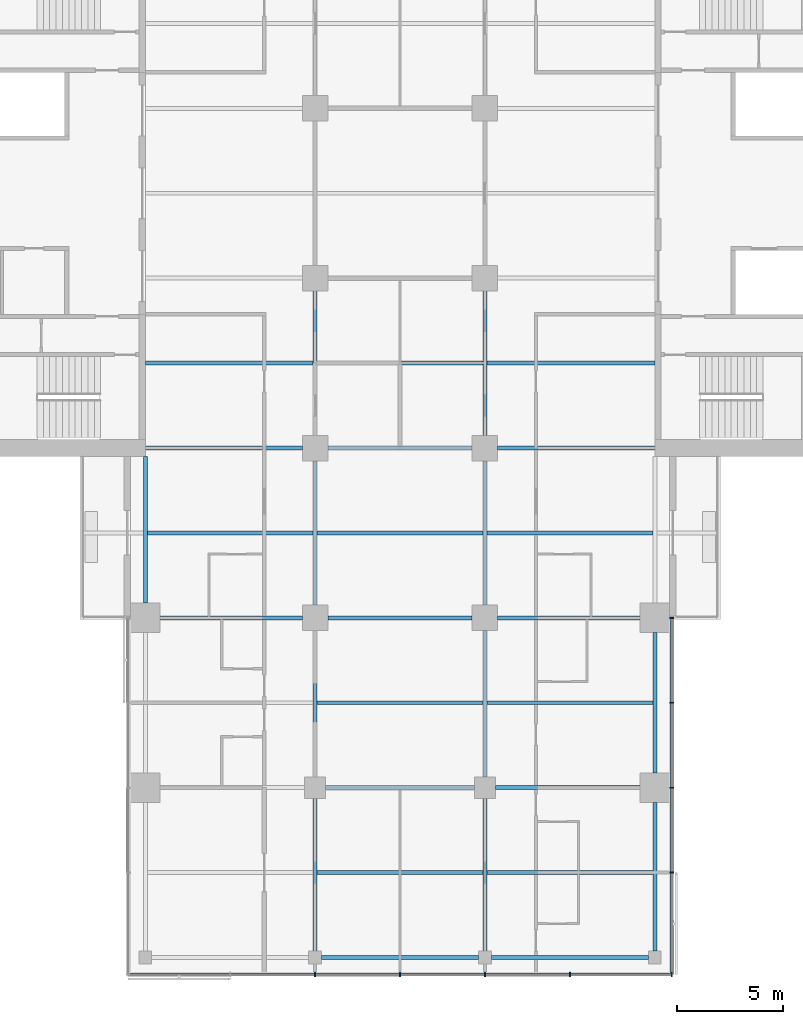
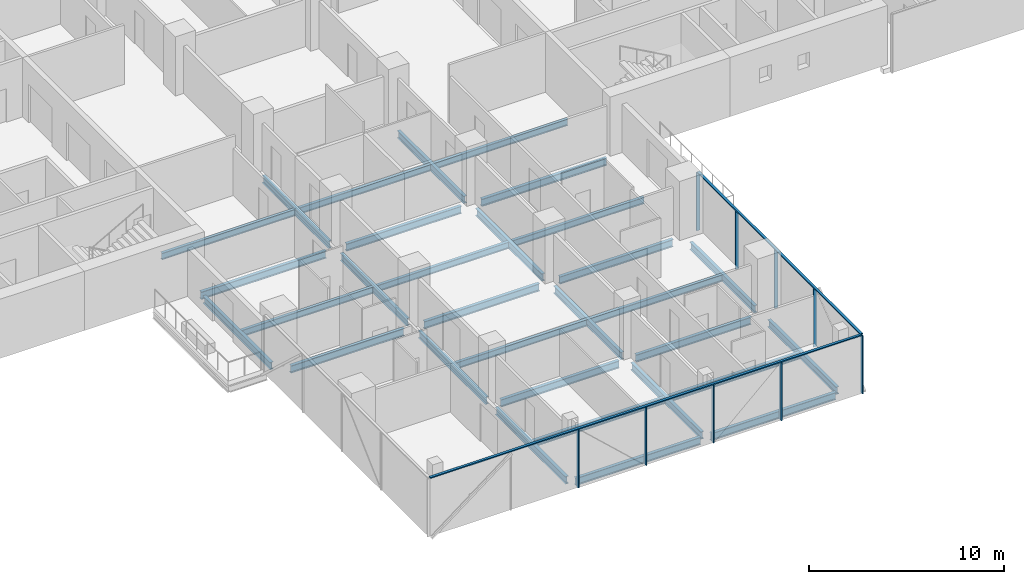
# One storey, part 4 of 27: 31 beams, 11 members, 2 elements without a shape of their own.
"""IFC4 building model written with IfcOpenShell, lengths in metres."""

from ifc_helpers import new_model, si_unit, direction, frame, origin, origin_2d, place, context, subcontext, project, spatial, rectangle, i_section, extrude, material, material_profile, profile_set, type_object, element, aggregate, save


model = new_model("IFC4")

# Units and contexts
model_context = context("Model", 3, precision=1e-05, world=origin(), true_north=direction((0.0, 1.0)))
body_context = subcontext(model_context, "Body", "Model", "MODEL_VIEW")
ifc_project = project(units=[si_unit("LENGTHUNIT", "METRE"), si_unit("AREAUNIT", "SQUARE_METRE"), si_unit("VOLUMEUNIT", "CUBIC_METRE"), si_unit("PLANEANGLEUNIT", "RADIAN"), si_unit("MASSUNIT", "GRAM", prefix="KILO")], contexts=[model_context])

# Site, building, storey
site_placement = place(None, origin())
site = spatial("IfcSite", under=ifc_project, at=site_placement, CompositionType="ELEMENT")
building_placement = place(site_placement, origin())
building = spatial("IfcBuilding", under=site, at=building_placement, Name="Crosswind Convention Tower", CompositionType="ELEMENT")
storey_placement = place(building_placement, frame((0.0, 0.0, 72.0)))
storey = spatial("IfcBuildingStorey", under=building, at=storey_placement, Name="L12", CompositionType="ELEMENT", Elevation=72.0)

# Beams
ifc_material_1 = material(Name="Steel S355", Category="steel")
ifc_material_profile_1 = material_profile(ifc_material_1, i_section(OverallWidth=0.1904296875, OverallDepth=0.457275390625, WebThickness=0.009033203125, FlangeThickness=0.014404296875, FilletRadius=0.01025390625, at=origin_2d()), Name="UB 457x191x75")
ifc_profile_set_1 = profile_set([ifc_material_profile_1], Name="Steel S355")
beam_type_1 = type_object("IfcBeamType", Name="Edge beam UB 457x191x75", PredefinedType="SPANDREL", material=ifc_profile_set_1)
beam_1_placement = place(storey_placement, frame((113.0, 80.699951171875, -0.508544921875), z_axis=(0.0, 1.0, 0.0), x_axis=(-1.0, 0.0, 0.0)))
element("IfcBeam", 1, at=beam_1_placement, inside=storey, type_object=beam_type_1, Name="B17 L12 edge beam 8", PredefinedType="SPANDREL", context=body_context, shape_type="SweptSolid", body=[
    extrude(i_section(OverallWidth=0.1904296875, OverallDepth=0.457275390625, WebThickness=0.009033203125, FlangeThickness=0.014404296875, FilletRadius=0.01025390625, at=origin_2d()), origin(), (0.0, 0.0, 1.0), 6.900146484375),
])
for number, where, z_axis, x_axis, name in (
    (2, (121.300048828125, 64.0, -0.508544921875), (1.0, 0.0, 0.0), (0.0, 1.0, 0.0), "B17 L12 edge beam 14"),
    (3, (129.300048828125, 64.0, -0.508544921875), (1.0, 0.0, 0.0), (0.0, 1.0, 0.0), "B17 L12 edge beam 16"),
):
    element("IfcBeam", number, at=place(storey_placement, frame(where, z_axis=z_axis, x_axis=x_axis)), inside=storey, type_object=beam_type_1, Name=name, PredefinedType="SPANDREL", context=body_context, shape_type="SweptSolid", body=[
        extrude(i_section(OverallWidth=0.1904296875, OverallDepth=0.457275390625, WebThickness=0.009033203125, FlangeThickness=0.014404296875, FilletRadius=0.01025390625, at=origin_2d()), origin(), (0.0, 0.0, 1.0), 7.39990234375),
    ])
beam_2_placement = place(storey_placement, frame((137.0, 64.300048828125, -0.508544921875), z_axis=(0.0, 1.0, 0.0), x_axis=(-1.0, 0.0, 0.0)))
element("IfcBeam", 4, at=beam_2_placement, inside=storey, type_object=beam_type_1, Name="B17 L12 edge beam 18", PredefinedType="SPANDREL", context=body_context, shape_type="SweptSolid", body=[
    extrude(i_section(OverallWidth=0.1904296875, OverallDepth=0.457275390625, WebThickness=0.009033203125, FlangeThickness=0.014404296875, FilletRadius=0.01025390625, at=origin_2d()), origin(), (0.0, 0.0, 1.0), 7.0),
])
beam_3_placement = place(storey_placement, frame((137.0, 72.699951171875, -0.508544921875), z_axis=(0.0, 1.0, 0.0), x_axis=(-1.0, 0.0, 0.0)))
element("IfcBeam", 5, at=beam_3_placement, inside=storey, type_object=beam_type_1, Name="B17 L12 edge beam 19", PredefinedType="SPANDREL", context=body_context, shape_type="SweptSolid", body=[
    extrude(i_section(OverallWidth=0.1904296875, OverallDepth=0.457275390625, WebThickness=0.009033203125, FlangeThickness=0.014404296875, FilletRadius=0.01025390625, at=origin_2d()), origin(), (0.0, 0.0, 1.0), 6.60009765625),
])
ifc_material_profile_2 = material_profile(ifc_material_1, i_section(OverallWidth=0.19140625, OverallDepth=0.460205078125, WebThickness=0.010009765625, FlangeThickness=0.01611328125, FilletRadius=0.01025390625, at=origin_2d()), Name="UB 457x191x82")
ifc_profile_set_2 = profile_set([ifc_material_profile_2], Name="Steel S355")
beam_type_2 = type_object("IfcBeamType", Name="Girder UB 457x191x82", PredefinedType="BEAM", material=ifc_profile_set_2)
beam_4_placement = place(storey_placement, frame((113.699951171875, 80.0, -0.510009765625), z_axis=(1.0, 0.0, 0.0), x_axis=(0.0, 1.0, 0.0)))
element("IfcBeam", 6, at=beam_4_placement, inside=storey, type_object=beam_type_2, Name="B3 L12 girder 2", PredefinedType="BEAM", context=body_context, shape_type="SweptSolid", body=[
    extrude(i_section(OverallWidth=0.19140625, OverallDepth=0.460205078125, WebThickness=0.010009765625, FlangeThickness=0.01611328125, FilletRadius=0.01025390625, at=origin_2d()), origin(), (0.0, 0.0, 1.0), 6.699951171875),
])
beam_5_placement = place(storey_placement, frame((121.0, 64.300048828125, -0.510009765625), z_axis=(0.0, 1.0, 0.0), x_axis=(-1.0, 0.0, 0.0)))
element("IfcBeam", 7, at=beam_5_placement, inside=storey, type_object=beam_type_2, Name="B3 L12 girder 5", PredefinedType="BEAM", context=body_context, shape_type="SweptSolid", body=[
    extrude(i_section(OverallWidth=0.19140625, OverallDepth=0.460205078125, WebThickness=0.010009765625, FlangeThickness=0.01611328125, FilletRadius=0.01025390625, at=origin_2d()), origin(), (0.0, 0.0, 1.0), 7.199951171875),
])
beam_6_placement = place(storey_placement, frame((121.0, 72.5, -0.510009765625), z_axis=(0.0, 1.0, 0.0), x_axis=(-1.0, 0.0, 0.0)))
element("IfcBeam", 8, at=beam_6_placement, inside=storey, type_object=beam_type_2, Name="B3 L12 girder 6", PredefinedType="BEAM", context=body_context, shape_type="SweptSolid", body=[
    extrude(i_section(OverallWidth=0.19140625, OverallDepth=0.460205078125, WebThickness=0.010009765625, FlangeThickness=0.01611328125, FilletRadius=0.01025390625, at=origin_2d()), origin(), (0.0, 0.0, 1.0), 6.89990234375),
])
for number, where, z_axis, x_axis, name in (
    (9, (121.0, 80.60009765625, -0.510009765625), (0.0, 1.0, 0.0), (-1.0, 0.0, 0.0), "B3 L12 girder 7"),
    (10, (121.0, 88.60009765625, -0.510009765625), (0.0, 1.0, 0.0), (-1.0, 0.0, 0.0), "B3 L12 girder 8"),
):
    element("IfcBeam", number, at=place(storey_placement, frame(where, z_axis=z_axis, x_axis=x_axis)), inside=storey, type_object=beam_type_2, Name=name, PredefinedType="BEAM", context=body_context, shape_type="SweptSolid", body=[
        extrude(i_section(OverallWidth=0.19140625, OverallDepth=0.460205078125, WebThickness=0.010009765625, FlangeThickness=0.01611328125, FilletRadius=0.01025390625, at=origin_2d()), origin(), (0.0, 0.0, 1.0), 6.7998046875),
    ])
beam_7_placement = place(storey_placement, frame((121.5, 72.0, -0.510009765625), z_axis=(1.0, 0.0, 0.0), x_axis=(0.0, 1.0, 0.0)))
element("IfcBeam", 11, at=beam_7_placement, inside=storey, type_object=beam_type_2, Name="B3 L12 girder 14", PredefinedType="BEAM", context=body_context, shape_type="SweptSolid", body=[
    extrude(i_section(OverallWidth=0.19140625, OverallDepth=0.460205078125, WebThickness=0.010009765625, FlangeThickness=0.01611328125, FilletRadius=0.01025390625, at=origin_2d()), origin(), (0.0, 0.0, 1.0), 7.0),
])
for number, where, z_axis, x_axis, name in (
    (12, (121.60009765625, 80.0, -0.510009765625), (1.0, 0.0, 0.0), (0.0, 1.0, 0.0), "B3 L12 girder 16"),
    (13, (121.60009765625, 88.0, -0.510009765625), (1.0, 0.0, 0.0), (0.0, 1.0, 0.0), "B3 L12 girder 17"),
):
    element("IfcBeam", number, at=place(storey_placement, frame(where, z_axis=z_axis, x_axis=x_axis)), inside=storey, type_object=beam_type_2, Name=name, PredefinedType="BEAM", context=body_context, shape_type="SweptSolid", body=[
        extrude(i_section(OverallWidth=0.19140625, OverallDepth=0.460205078125, WebThickness=0.010009765625, FlangeThickness=0.01611328125, FilletRadius=0.01025390625, at=origin_2d()), origin(), (0.0, 0.0, 1.0), 6.7998046875),
    ])
beam_8_placement = place(storey_placement, frame((129.0, 64.300048828125, -0.510009765625), z_axis=(0.0, 1.0, 0.0), x_axis=(-1.0, 0.0, 0.0)))
element("IfcBeam", 14, at=beam_8_placement, inside=storey, type_object=beam_type_2, Name="B3 L12 girder 22", PredefinedType="BEAM", context=body_context, shape_type="SweptSolid", body=[
    extrude(i_section(OverallWidth=0.19140625, OverallDepth=0.460205078125, WebThickness=0.010009765625, FlangeThickness=0.01611328125, FilletRadius=0.01025390625, at=origin_2d()), origin(), (0.0, 0.0, 1.0), 7.199951171875),
])
beam_9_placement = place(storey_placement, frame((129.0, 72.5, -0.510009765625), z_axis=(0.0, 1.0, 0.0), x_axis=(-1.0, 0.0, 0.0)))
element("IfcBeam", 15, at=beam_9_placement, inside=storey, type_object=beam_type_2, Name="B3 L12 girder 23", PredefinedType="BEAM", context=body_context, shape_type="SweptSolid", body=[
    extrude(i_section(OverallWidth=0.19140625, OverallDepth=0.460205078125, WebThickness=0.010009765625, FlangeThickness=0.01611328125, FilletRadius=0.01025390625, at=origin_2d()), origin(), (0.0, 0.0, 1.0), 6.89990234375),
])
for number, where, z_axis, x_axis, name in (
    (16, (129.0, 80.60009765625, -0.510009765625), (0.0, 1.0, 0.0), (-1.0, 0.0, 0.0), "B3 L12 girder 24"),
    (17, (129.0, 88.60009765625, -0.510009765625), (0.0, 1.0, 0.0), (-1.0, 0.0, 0.0), "B3 L12 girder 25"),
):
    element("IfcBeam", number, at=place(storey_placement, frame(where, z_axis=z_axis, x_axis=x_axis)), inside=storey, type_object=beam_type_2, Name=name, PredefinedType="BEAM", context=body_context, shape_type="SweptSolid", body=[
        extrude(i_section(OverallWidth=0.19140625, OverallDepth=0.460205078125, WebThickness=0.010009765625, FlangeThickness=0.01611328125, FilletRadius=0.01025390625, at=origin_2d()), origin(), (0.0, 0.0, 1.0), 6.7998046875),
    ])
beam_10_placement = place(storey_placement, frame((129.5, 72.0, -0.510009765625), z_axis=(1.0, 0.0, 0.0), x_axis=(0.0, 1.0, 0.0)))
element("IfcBeam", 18, at=beam_10_placement, inside=storey, type_object=beam_type_2, Name="B3 L12 girder 31", PredefinedType="BEAM", context=body_context, shape_type="SweptSolid", body=[
    extrude(i_section(OverallWidth=0.19140625, OverallDepth=0.460205078125, WebThickness=0.010009765625, FlangeThickness=0.01611328125, FilletRadius=0.01025390625, at=origin_2d()), origin(), (0.0, 0.0, 1.0), 6.800048828125),
])
beam_11_placement = place(storey_placement, frame((129.60009765625, 80.0, -0.510009765625), z_axis=(1.0, 0.0, 0.0), x_axis=(0.0, 1.0, 0.0)))
element("IfcBeam", 19, at=beam_11_placement, inside=storey, type_object=beam_type_2, Name="B3 L12 girder 33", PredefinedType="BEAM", context=body_context, shape_type="SweptSolid", body=[
    extrude(i_section(OverallWidth=0.19140625, OverallDepth=0.460205078125, WebThickness=0.010009765625, FlangeThickness=0.01611328125, FilletRadius=0.01025390625, at=origin_2d()), origin(), (0.0, 0.0, 1.0), 6.699951171875),
])
ifc_material_profile_3 = material_profile(ifc_material_1, i_section(OverallWidth=0.19189453125, OverallDepth=0.463623046875, WebThickness=0.010498046875, FlangeThickness=0.017578125, FilletRadius=0.01025390625, at=origin_2d()), Name="UB 457x191x90")
ifc_profile_set_3 = profile_set([ifc_material_profile_3], Name="Steel S355")
beam_type_3 = type_object("IfcBeamType", Name="Girder at core wall UB 457x191x90", PredefinedType="BEAM", material=ifc_profile_set_3)
for number, where, z_axis, x_axis, name in (
    (20, (113.0, 88.0, -0.51171875), (1.0, 0.0, 0.0), (0.0, 1.0, 0.0), "B24 L12 girder at core wall 3"),
    (21, (129.60009765625, 88.0, -0.51171875), (1.0, 0.0, 0.0), (0.0, 1.0, 0.0), "B24 L12 girder at core wall 7"),
):
    element("IfcBeam", number, at=place(storey_placement, frame(where, z_axis=z_axis, x_axis=x_axis)), inside=storey, type_object=beam_type_3, Name=name, PredefinedType="BEAM", context=body_context, shape_type="SweptSolid", body=[
        extrude(i_section(OverallWidth=0.19189453125, OverallDepth=0.463623046875, WebThickness=0.010498046875, FlangeThickness=0.017578125, FilletRadius=0.01025390625, at=origin_2d()), origin(), (0.0, 0.0, 1.0), 7.39990234375),
    ])

# Curtain wall, members
ifc_material_2 = material(Name="Aluminium unitised curtain wall", Category="aluminium")
curtain_wall_type = type_object("IfcCurtainWallType", Name="HOTEL UNITISED WALL 200", PredefinedType="USERDEFINED", material=ifc_material_2)
curtain_wall_1_placement = place(storey_placement, origin())
curtain_wall_1 = element("IfcCurtainWall", 22, at=curtain_wall_1_placement, inside=storey, type_object=curtain_wall_type, Name="CW2 L12 S-TIP 1", ObjectType="UNITISED", PredefinedType="USERDEFINED")
ifc_material_3 = material(Name="Aluminium mullion", Category="aluminium")
ifc_material_profile_4 = material_profile(ifc_material_3, rectangle(XDim=0.199951171875, YDim=0.06494140625, at=origin_2d()), Name="AL 200X65")
ifc_profile_set_4 = profile_set([ifc_material_profile_4], Name="Aluminium mullion")
member_type_1 = type_object("IfcMemberType", Name="MULLION 65X200", PredefinedType="MULLION", material=ifc_profile_set_4)
member_1_placement = place(storey_placement, frame((121.0, 63.199951171875, -0.280029296875), z_axis=(0.0, 0.0, 1.0), x_axis=(0.0, -1.0, 0.0)))
member_1 = element("IfcMember", 23, at=member_1_placement, type_object=member_type_1, Name="CW2 mullion 3", PredefinedType="MULLION", context=body_context, shape_type="SweptSolid", body=[
    extrude(rectangle(XDim=0.199951171875, YDim=0.06494140625, at=origin_2d()), origin(), (0.0, 0.0, 1.0), 3.635009765625),
])
member_2_placement = place(storey_placement, frame((125.0, 63.199951171875, -0.280029296875), z_axis=(0.0, 0.0, 1.0), x_axis=(0.0, -1.0, 0.0)))
member_2 = element("IfcMember", 24, at=member_2_placement, type_object=member_type_1, Name="CW2 mullion 4", PredefinedType="MULLION", context=body_context, shape_type="SweptSolid", body=[
    extrude(rectangle(XDim=0.199951171875, YDim=0.06494140625, at=origin_2d()), origin(), (0.0, 0.0, 1.0), 3.635009765625),
])
member_3_placement = place(storey_placement, frame((129.0, 63.199951171875, -0.280029296875), z_axis=(0.0, 0.0, 1.0), x_axis=(0.0, -1.0, 0.0)))
member_3 = element("IfcMember", 25, at=member_3_placement, type_object=member_type_1, Name="CW2 mullion 5", PredefinedType="MULLION", context=body_context, shape_type="SweptSolid", body=[
    extrude(rectangle(XDim=0.199951171875, YDim=0.06494140625, at=origin_2d()), origin(), (0.0, 0.0, 1.0), 3.635009765625),
])
member_4_placement = place(storey_placement, frame((133.0, 63.199951171875, -0.280029296875), z_axis=(0.0, 0.0, 1.0), x_axis=(0.0, -1.0, 0.0)))
member_4 = element("IfcMember", 26, at=member_4_placement, type_object=member_type_1, Name="CW2 mullion 6", PredefinedType="MULLION", context=body_context, shape_type="SweptSolid", body=[
    extrude(rectangle(XDim=0.199951171875, YDim=0.06494140625, at=origin_2d()), origin(), (0.0, 0.0, 1.0), 3.635009765625),
])
member_5_placement = place(storey_placement, frame((137.800048828125, 63.199951171875, -0.280029296875), z_axis=(0.0, 0.0, 1.0), x_axis=(0.0, -1.0, 0.0)))
member_5 = element("IfcMember", 27, at=member_5_placement, type_object=member_type_1, Name="CW2 mullion 7", PredefinedType="MULLION", context=body_context, shape_type="SweptSolid", body=[
    extrude(rectangle(XDim=0.199951171875, YDim=0.06494140625, at=origin_2d()), origin(), (0.0, 0.0, 1.0), 3.635009765625),
])

curtain_wall_2_placement = place(storey_placement, origin())
curtain_wall_2 = element("IfcCurtainWall", 28, at=curtain_wall_2_placement, inside=storey, type_object=curtain_wall_type, Name="CW2 L12 S-E 1", ObjectType="UNITISED", PredefinedType="USERDEFINED")
member_6_placement = place(storey_placement, frame((137.800048828125, 68.0, -0.280029296875), z_axis=(0.0, 0.0, 1.0), x_axis=(1.0, 0.0, 0.0)))
member_6 = element("IfcMember", 29, at=member_6_placement, type_object=member_type_1, Name="CW2 mullion 2", PredefinedType="MULLION", context=body_context, shape_type="SweptSolid", body=[
    extrude(rectangle(XDim=0.199951171875, YDim=0.06494140625, at=origin_2d()), origin(), (0.0, 0.0, 1.0), 3.635009765625),
])
member_7_placement = place(storey_placement, frame((137.800048828125, 72.0, -0.280029296875), z_axis=(0.0, 0.0, 1.0), x_axis=(1.0, 0.0, 0.0)))
member_7 = element("IfcMember", 30, at=member_7_placement, type_object=member_type_1, Name="CW2 mullion 3", PredefinedType="MULLION", context=body_context, shape_type="SweptSolid", body=[
    extrude(rectangle(XDim=0.199951171875, YDim=0.06494140625, at=origin_2d()), origin(), (0.0, 0.0, 1.0), 3.635009765625),
])
member_8_placement = place(storey_placement, frame((137.800048828125, 76.0, -0.280029296875), z_axis=(0.0, 0.0, 1.0), x_axis=(1.0, 0.0, 0.0)))
member_8 = element("IfcMember", 31, at=member_8_placement, type_object=member_type_1, Name="CW2 mullion 4", PredefinedType="MULLION", context=body_context, shape_type="SweptSolid", body=[
    extrude(rectangle(XDim=0.199951171875, YDim=0.06494140625, at=origin_2d()), origin(), (0.0, 0.0, 1.0), 3.635009765625),
])
member_9_placement = place(storey_placement, frame((137.800048828125, 80.0, -0.280029296875), z_axis=(0.0, 0.0, 1.0), x_axis=(1.0, 0.0, 0.0)))
member_9 = element("IfcMember", 32, at=member_9_placement, type_object=member_type_1, Name="CW2 mullion 5", PredefinedType="MULLION", context=body_context, shape_type="SweptSolid", body=[
    extrude(rectangle(XDim=0.199951171875, YDim=0.06494140625, at=origin_2d()), origin(), (0.0, 0.0, 1.0), 3.635009765625),
])

# Beams
ifc_material_profile_5 = material_profile(ifc_material_1, i_section(OverallWidth=0.177734375, OverallDepth=0.406494140625, WebThickness=0.0078125, FlangeThickness=0.0126953125, FilletRadius=0.01025390625, at=origin_2d()), Name="UB 406x178x60")
ifc_profile_set_5 = profile_set([ifc_material_profile_5], Name="Steel S355")
beam_type_4 = type_object("IfcBeamType", Name="Secondary beam UB 406x178x60", PredefinedType="JOIST", material=ifc_profile_set_5)
beam_12_placement = place(storey_placement, frame((113.0, 92.0, -0.483154296875), z_axis=(1.0, 0.0, 0.0), x_axis=(0.0, 1.0, 0.0)))
element("IfcBeam", 33, at=beam_12_placement, inside=storey, type_object=beam_type_4, Name="B10 L12 secondary beam 4", PredefinedType="JOIST", context=body_context, shape_type="SweptSolid", body=[
    extrude(i_section(OverallWidth=0.177734375, OverallDepth=0.406494140625, WebThickness=0.0078125, FlangeThickness=0.0126953125, FilletRadius=0.01025390625, at=origin_2d()), origin(), (0.0, 0.0, 1.0), 7.904296875),
])
beam_13_placement = place(storey_placement, frame((113.09521484375, 84.0, -0.483154296875), z_axis=(1.0, 0.0, 0.0), x_axis=(0.0, 1.0, 0.0)))
element("IfcBeam", 34, at=beam_13_placement, inside=storey, type_object=beam_type_4, Name="B10 L12 secondary beam 9", PredefinedType="JOIST", context=body_context, shape_type="SweptSolid", body=[
    extrude(i_section(OverallWidth=0.177734375, OverallDepth=0.406494140625, WebThickness=0.0078125, FlangeThickness=0.0126953125, FilletRadius=0.01025390625, at=origin_2d()), origin(), (0.0, 0.0, 1.0), 7.80908203125),
])
for number, where, z_axis, x_axis, name in (
    (35, (121.095703125, 68.0, -0.483154296875), (1.0, 0.0, 0.0), (0.0, 1.0, 0.0), "B10 L12 secondary beam 13"),
    (36, (121.095703125, 76.0, -0.483154296875), (1.0, 0.0, 0.0), (0.0, 1.0, 0.0), "B10 L12 secondary beam 14"),
    (37, (121.095703125, 84.0, -0.483154296875), (1.0, 0.0, 0.0), (0.0, 1.0, 0.0), "B10 L12 secondary beam 15"),
    (38, (121.095703125, 92.0, -0.483154296875), (1.0, 0.0, 0.0), (0.0, 1.0, 0.0), "B10 L12 secondary beam 16"),
):
    element("IfcBeam", number, at=place(storey_placement, frame(where, z_axis=z_axis, x_axis=x_axis)), inside=storey, type_object=beam_type_4, Name=name, PredefinedType="JOIST", context=body_context, shape_type="SweptSolid", body=[
        extrude(i_section(OverallWidth=0.177734375, OverallDepth=0.406494140625, WebThickness=0.0078125, FlangeThickness=0.0126953125, FilletRadius=0.01025390625, at=origin_2d()), origin(), (0.0, 0.0, 1.0), 7.80859375),
    ])
for number, where, z_axis, x_axis, name in (
    (39, (129.095703125, 68.0, -0.483154296875), (1.0, 0.0, 0.0), (0.0, 1.0, 0.0), "B10 L12 secondary beam 22"),
    (40, (129.095703125, 76.0, -0.483154296875), (1.0, 0.0, 0.0), (0.0, 1.0, 0.0), "B10 L12 secondary beam 23"),
    (41, (129.095703125, 84.0, -0.483154296875), (1.0, 0.0, 0.0), (0.0, 1.0, 0.0), "B10 L12 secondary beam 24"),
):
    element("IfcBeam", number, at=place(storey_placement, frame(where, z_axis=z_axis, x_axis=x_axis)), inside=storey, type_object=beam_type_4, Name=name, PredefinedType="JOIST", context=body_context, shape_type="SweptSolid", body=[
        extrude(i_section(OverallWidth=0.177734375, OverallDepth=0.406494140625, WebThickness=0.0078125, FlangeThickness=0.0126953125, FilletRadius=0.01025390625, at=origin_2d()), origin(), (0.0, 0.0, 1.0), 7.80908203125),
    ])
beam_14_placement = place(storey_placement, frame((129.095703125, 92.0, -0.483154296875), z_axis=(1.0, 0.0, 0.0), x_axis=(0.0, 1.0, 0.0)))
element("IfcBeam", 42, at=beam_14_placement, inside=storey, type_object=beam_type_4, Name="B10 L12 secondary beam 25", PredefinedType="JOIST", context=body_context, shape_type="SweptSolid", body=[
    extrude(i_section(OverallWidth=0.177734375, OverallDepth=0.406494140625, WebThickness=0.0078125, FlangeThickness=0.0126953125, FilletRadius=0.01025390625, at=origin_2d()), origin(), (0.0, 0.0, 1.0), 7.904296875),
])

# Member
ifc_material_4 = material(Name="Aluminium transom", Category="aluminium")
ifc_material_profile_6 = material_profile(ifc_material_4, rectangle(XDim=0.14990234375, YDim=0.06494140625, at=origin_2d()), Name="AL 150X65")
ifc_profile_set_6 = profile_set([ifc_material_profile_6], Name="Aluminium transom")
member_type_2 = type_object("IfcMemberType", Name="TRANSOM 65X150", PredefinedType="USERDEFINED", material=ifc_profile_set_6)
member_10_placement = place(storey_placement, frame((112.232421875, 63.199951171875, 3.387451171875), z_axis=(1.0, 0.0, 0.0), x_axis=(0.0, 1.0, 0.0)))
member_10 = element("IfcMember", 43, at=member_10_placement, type_object=member_type_2, Name="CW2 transom", ObjectType="TRANSOM", PredefinedType="USERDEFINED", context=body_context, shape_type="SweptSolid", body=[
    extrude(rectangle(XDim=0.14990234375, YDim=0.06494140625, at=origin_2d()), origin(), (0.0, 0.0, 1.0), 25.53515625),
])

aggregate(curtain_wall_1, [member_1, member_2, member_3, member_4, member_5, member_10])

member_11_placement = place(storey_placement, frame((137.800048828125, 63.232421875, 3.387451171875), z_axis=(0.0, 1.0, 0.0), x_axis=(-1.0, 0.0, 0.0)))
member_11 = element("IfcMember", 44, at=member_11_placement, type_object=member_type_2, Name="CW2 transom", ObjectType="TRANSOM", PredefinedType="USERDEFINED", context=body_context, shape_type="SweptSolid", body=[
    extrude(rectangle(XDim=0.14990234375, YDim=0.06494140625, at=origin_2d()), origin(), (0.0, 0.0, 1.0), 16.735107421875),
])

aggregate(curtain_wall_2, [member_6, member_7, member_8, member_9, member_11])

save(model, "model.ifc")
